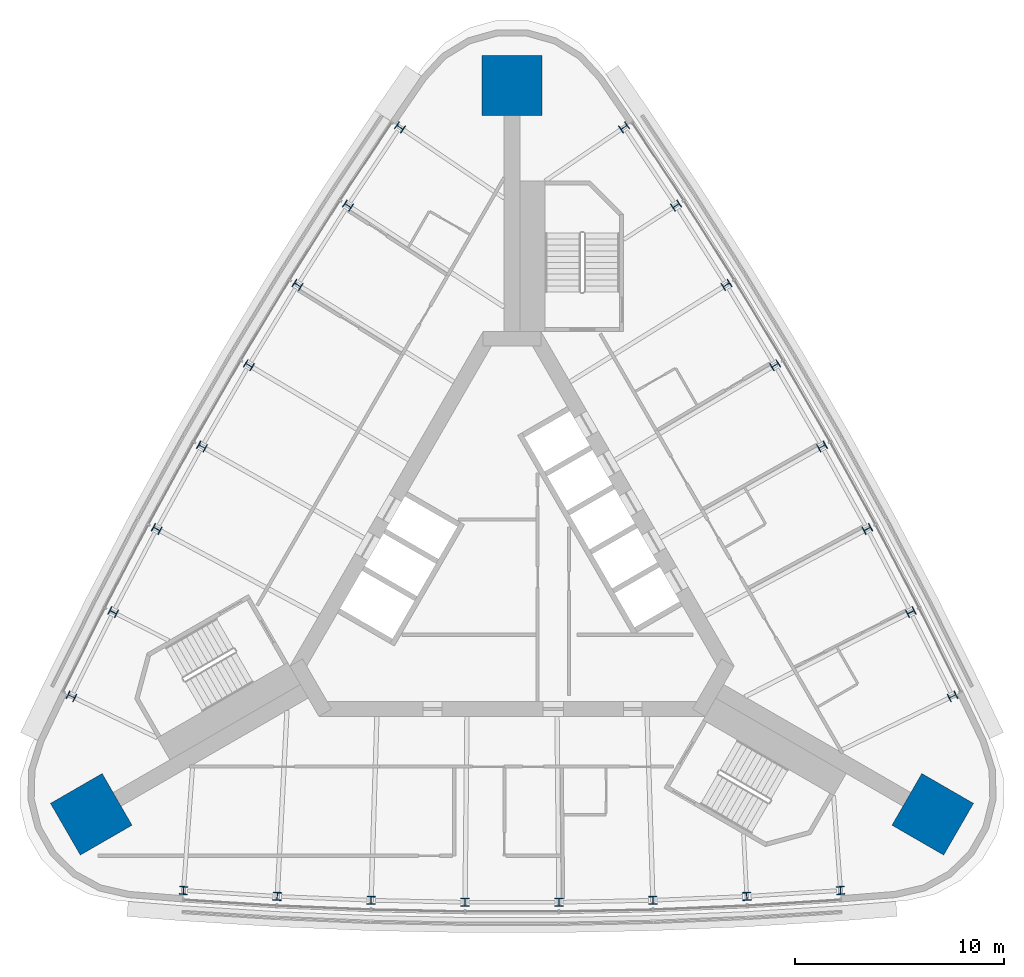
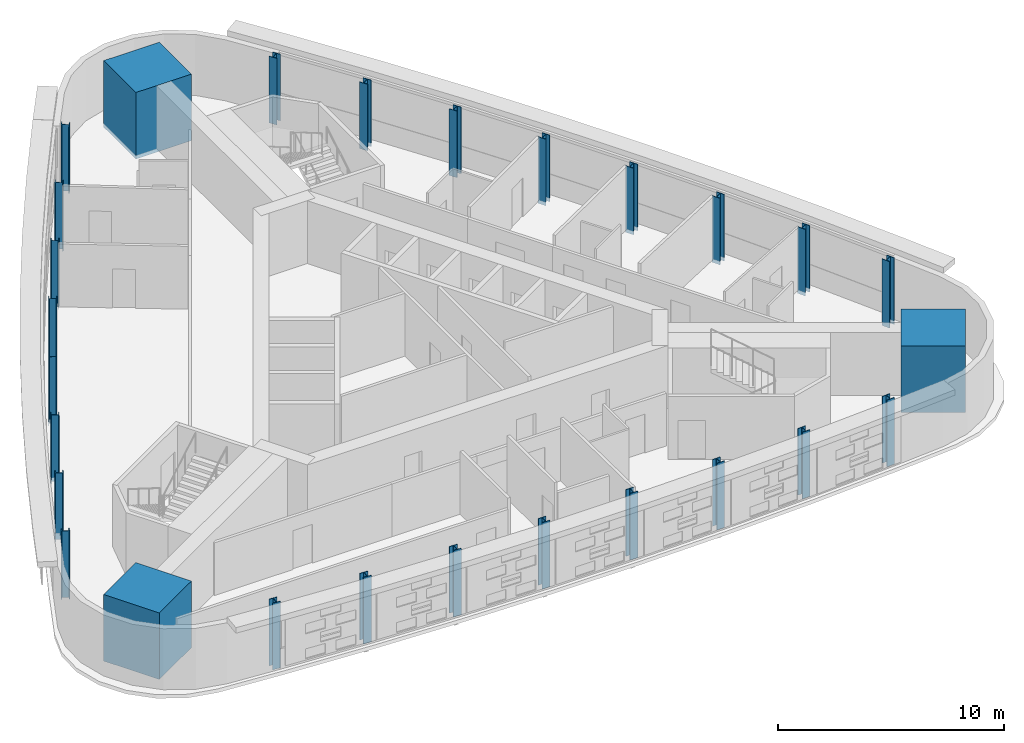
# One storey, part 1 of 12: 27 columns.
"""IFC4 building model written with IfcOpenShell, lengths in metres."""

import ifcopenshell
import ifcopenshell.guid

model = None  # the IFC model being written
_history = None  # IfcOwnerHistory: only IFC2X3 demands one
_inside = {}  # id of a spatial element -> (the spatial element, [elements in it])
_under = {}  # id of a project, library or spatial element -> (it, [spatial elements below it])
_declared = {}  # id of a project -> (the project, [libraries it declares])
_typed = {}  # id of a type object -> (the type object, [elements of that type])
_made_of = {}  # id of a material, layer set ... -> (it, [elements and type objects made of it])


def new_model(schema):
    """Start an empty IFC model of exactly this schema.

    Asked for "IFC4X3", IfcOpenShell would pick the latest addendum, in which some entities
    have other attributes; the version numbers below select the first issue.
    IFC2X3 requires an IfcOwnerHistory on every rooted entity: one is made here for all.
    """
    global model, _history
    if schema == "IFC4X3":
        model = ifcopenshell.file(schema_version=(4, 3, 0, 0))
    else:
        model = ifcopenshell.file(schema=schema)
    _inside.clear()
    _under.clear()
    _declared.clear()
    _typed.clear()
    _made_of.clear()
    _history = None
    if model.schema == "IFC2X3":
        org = make("IfcOrganization", Name="unknown")
        user = make(
            "IfcPersonAndOrganization",
            ThePerson=make("IfcPerson", FamilyName="unknown"),
            TheOrganization=org,
        )
        app = make(
            "IfcApplication",
            ApplicationDeveloper=org,
            Version="unknown",
            ApplicationFullName="unknown",
            ApplicationIdentifier="unknown",
        )
        _history = make(
            "IfcOwnerHistory",
            OwningUser=user,
            OwningApplication=app,
            ChangeAction="ADDED",
            CreationDate=0,
        )
    return model


def make(cls, **values):
    """One entity of the class cls with the attributes given. An attribute that is None is left unset."""
    return model.create_entity(
        cls, **{name: value for name, value in values.items() if value is not None}
    )


def rooted(cls, **values):
    """An entity with a GlobalId (a new one), such as an element, a storey or a relation."""
    return make(cls, GlobalId=ifcopenshell.guid.new(), OwnerHistory=_history, **values)


def si_unit(unit_type, name, prefix=None):
    """IfcSIUnit, for example si_unit("LENGTHUNIT", "METRE", prefix="MILLI")."""
    return make("IfcSIUnit", UnitType=unit_type, Prefix=prefix, Name=name)


def assignment(units):
    """IfcUnitAssignment: the units of a project."""
    return None if units is None else make("IfcUnitAssignment", Units=units)


def point(xyz):
    """IfcCartesianPoint."""
    return None if xyz is None else make("IfcCartesianPoint", Coordinates=xyz)


def direction(xyz):
    """IfcDirection."""
    return None if xyz is None else make("IfcDirection", DirectionRatios=xyz)


def frame(location, z_axis=None, x_axis=None):
    """IfcAxis2Placement3D, a coordinate frame: its origin and axes. An axis left out is left unset."""
    return make(
        "IfcAxis2Placement3D",
        Location=point(location),
        Axis=direction(z_axis),
        RefDirection=direction(x_axis),
    )


def frame_2d(location, x_axis=None):
    """IfcAxis2Placement2D, a coordinate frame in the plane: its origin and x axis."""
    return make(
        "IfcAxis2Placement2D", Location=point(location), RefDirection=direction(x_axis)
    )


def origin():
    """The frame at (0, 0, 0) with its axes left unset."""
    return frame((0.0, 0.0, 0.0))


def origin_2d():
    """The frame at (0, 0) in the plane with its x axis left unset."""
    return frame_2d((0.0, 0.0))


def place(relative_to, where):
    """IfcLocalPlacement: puts the frame where relative to a parent placement (None: the world)."""
    return make(
        "IfcLocalPlacement", PlacementRelTo=relative_to, RelativePlacement=where
    )


def context(
    kind, dimensions, precision=None, world=None, true_north=None, identifier=None
):
    """IfcGeometricRepresentationContext, for example the 3D "Model" context."""
    return make(
        "IfcGeometricRepresentationContext",
        ContextIdentifier=identifier,
        ContextType=kind,
        CoordinateSpaceDimension=dimensions,
        Precision=precision,
        WorldCoordinateSystem=world,
        TrueNorth=true_north,
    )


def subcontext(parent, identifier, kind, view, scale=None):
    """IfcGeometricRepresentationSubContext, for example "Body" below "Model"."""
    return make(
        "IfcGeometricRepresentationSubContext",
        ContextIdentifier=identifier,
        ContextType=kind,
        ParentContext=parent,
        TargetScale=scale,
        TargetView=view,
    )


def project(units=None, contexts=None):
    """IfcProject with its units and contexts."""
    return rooted(
        "IfcProject",
        Name="project",
        RepresentationContexts=contexts,
        UnitsInContext=assignment(units),
    )


def spatial(cls, under=None, at=None, **own):
    """A site, building, storey or space (cls), placed at a placement, below another one or the project."""
    s = rooted(cls, ObjectPlacement=at, **own)
    if under is not None:
        _under.setdefault(under.id(), (under, []))[1].append(s)
    return s


def profile(cls, at=None, kind="AREA", **sizes):
    """A parametric profile (cls). Its sizes go by their IFC names, for example OverallWidth=200.0."""
    return make(cls, ProfileType=kind, Position=at, **sizes)


def rectangle(**sizes):
    """IfcRectangleProfileDef."""
    return profile("IfcRectangleProfileDef", **sizes)


def i_section(**sizes):
    """IfcIShapeProfileDef."""
    return profile("IfcIShapeProfileDef", **sizes)


def extrude(swept, where, along, depth):
    """IfcExtrudedAreaSolid: the profile swept, set in the frame where, extruded along a direction by depth."""
    return make(
        "IfcExtrudedAreaSolid",
        SweptArea=swept,
        Position=where,
        ExtrudedDirection=direction(along),
        Depth=depth,
    )


def shape(context_of_items, identifier, shape_type, items):
    """IfcShapeRepresentation: the items that make up one representation, for example the "Body"."""
    return make(
        "IfcShapeRepresentation",
        ContextOfItems=context_of_items,
        RepresentationIdentifier=identifier,
        RepresentationType=shape_type,
        Items=items,
    )


def material(Name=None, Category=None):
    """IfcMaterial."""
    return make("IfcMaterial", Name=Name, Category=Category)


def material_profile(
    of_material, cross_section, Name=None, Category=None, Priority=None
):
    """IfcMaterialProfile: a cross section and its material."""
    return make(
        "IfcMaterialProfile",
        Name=Name,
        Material=of_material,
        Profile=cross_section,
        Priority=Priority,
        Category=Category,
    )


def profile_set(profiles, Name=None, composite=None):
    """IfcMaterialProfileSet."""
    return make(
        "IfcMaterialProfileSet",
        Name=Name,
        MaterialProfiles=profiles,
        CompositeProfile=composite,
    )


def made_of(thing, what):
    """Note that an element or type object is made of a material, layer set ...; save() writes the relation."""
    if what is not None:
        _made_of.setdefault(what.id(), (what, []))[1].append(thing)
    return thing


def type_object(cls, material=None, **own):
    """A type object (cls), such as IfcWallType, which elements share."""
    return made_of(rooted(cls, **own), material)


def element(
    cls,
    number,
    at=None,
    inside=None,
    cuts=None,
    type_object=None,
    material=None,
    context=None,
    identifier="Body",
    shape_type=None,
    held_by="IfcProductDefinitionShape",
    body=None,
    shapes=None,
    **own,
):
    """One element of the class cls, such as IfcWall. Its Tag is "e" and its number.

    at: its placement. inside: the storey or other place that contains it. cuts: it is an
    opening in that element (IfcRelVoidsElement). A single representation is given by context,
    identifier, shape_type and body (its items); several are given by shapes. held_by: the class
    of the entity that holds the representations. save() writes the other relations.
    """
    e = rooted(cls, Tag="e%d" % number, ObjectPlacement=at, **own)
    if body is not None:
        shapes = [shape(context, identifier, shape_type, body)]
    if shapes is not None:
        e.Representation = make(held_by, Representations=shapes)
    if inside is not None:
        _inside.setdefault(inside.id(), (inside, []))[1].append(e)
    if cuts is not None:
        rooted(
            "IfcRelVoidsElement", RelatingBuildingElement=cuts, RelatedOpeningElement=e
        )
    if type_object is not None:
        _typed.setdefault(type_object.id(), (type_object, []))[1].append(e)
    return made_of(e, material)


def aggregate(whole, parts):
    """IfcRelAggregates: a whole, such as a stair, and the parts it consists of."""
    return rooted("IfcRelAggregates", RelatingObject=whole, RelatedObjects=parts)


def save(model, path):
    """Write the relations noted so far, then the file.

    IfcRelAggregates (storeys below a building ...), IfcRelContainedInSpatialStructure (elements
    in a storey), IfcRelDefinesByType, IfcRelAssociatesMaterial and IfcRelDeclares: one each for
    every whole, place, type object, material and project.
    """
    for whole, parts in _under.values():
        aggregate(whole, parts)
    for where, things in _inside.values():
        rooted(
            "IfcRelContainedInSpatialStructure",
            RelatedElements=things,
            RelatingStructure=where,
        )
    for kind, things in _typed.values():
        rooted("IfcRelDefinesByType", RelatedObjects=things, RelatingType=kind)
    for what, things in _made_of.values():
        rooted("IfcRelAssociatesMaterial", RelatedObjects=things, RelatingMaterial=what)
    for by, libraries in _declared.values():
        rooted("IfcRelDeclares", RelatingContext=by, RelatedDefinitions=libraries)
    model.write(path)


model = new_model("IFC4")

# Units and contexts
model_context = context("Model", 3, precision=1e-05, world=origin(), true_north=direction((0.0, 1.0)))
body_context = subcontext(model_context, "Body", "Model", "MODEL_VIEW")
ifc_project = project(units=[si_unit("LENGTHUNIT", "METRE"), si_unit("AREAUNIT", "SQUARE_METRE"), si_unit("VOLUMEUNIT", "CUBIC_METRE"), si_unit("PLANEANGLEUNIT", "RADIAN"), si_unit("MASSUNIT", "GRAM", prefix="KILO")], contexts=[model_context])

# Site, building, storey
site_placement = place(None, origin())
site = spatial("IfcSite", under=ifc_project, at=site_placement, CompositionType="ELEMENT")
building_placement = place(site_placement, origin())
building = spatial("IfcBuilding", under=site, at=building_placement, Name="Noor Cloister Tower", CompositionType="ELEMENT")
storey_placement = place(building_placement, frame((0.0, 0.0, 158.10009765625)))
storey = spatial("IfcBuildingStorey", under=building, at=storey_placement, Name="L40", CompositionType="ELEMENT", Elevation=158.10009765625)

# Columns
ifc_material_1 = material(Name="Steel ASTM A992 Gr 50", Category="steel")
ifc_material_profile_1 = material_profile(ifc_material_1, i_section(OverallWidth=0.39892578125, OverallDepth=0.385986328125, WebThickness=0.02099609375, FlangeThickness=0.033203125, FilletRadius=0.01513671875, at=origin_2d()), Name="W360x262")
ifc_profile_set_1 = profile_set([ifc_material_profile_1], Name="Steel ASTM A992 Gr 50")
column_type_1 = type_object("IfcColumnType", Name="Column W360x262", PredefinedType="COLUMN", material=ifc_profile_set_1)
for number, where, z_axis, x_axis, name in (
    (1, (-5.354736328125, 21.21533203125, -0.2001953125), (0.0, 0.0, 1.0), (-0.562090371754, -0.827075821181, 0.0), "Column NW 01 L40"),
    (2, (-7.838623046875, 17.476806640625, -0.2001953125), (0.0, 0.0, 1.0), (-0.54464410067, -0.838667278249, 0.0), "Column NW 02 L40"),
    (3, (-10.24365234375, 13.68701171875, -0.2001953125), (0.0, 0.0, 1.0), (-0.526958875565, -0.849890783256, 0.0), "Column NW 03 L40"),
    (4, (-12.568603515625, 9.847900390625, -0.2001953125), (0.0, 0.0, 1.0), (-0.509042455552, -0.860741412066, 0.0), "Column NW 04 L40"),
    (5, (-14.81298828125, 5.9609375, -0.2001953125), (0.0, 0.0, 1.0), (-0.490902701163, -0.871214404146, 0.0), "Column NW 05 L40"),
    (6, (-16.97509765625, 2.027587890625, -0.2001953125), (0.0, 0.0, 1.0), (-0.472547570959, -0.881305164617, 0.0), "Column NW 06 L40"),
    (7, (-19.0546875, -1.949951171875, -0.2001953125), (0.0, 0.0, 1.0), (-0.453985117951, -0.891009266326, 0.0), "Column NW 07 L40"),
    (8, (-21.05029296875, -5.97021484375, -0.2001953125), (0.0, 0.0, 1.0), (-0.435223486122, -0.900322451752, 0.0), "Column NW 08 L40"),
    (9, (-15.695556640625, -15.244873046875, -0.2001953125), (0.0, 0.0, 1.0), (0.997313857875, -0.073246630571, 0.0), "Column S 01 L40"),
    (10, (-11.216064453125, -15.52685546875, -0.2001953125), (0.0, 0.0, 1.0), (0.998629218621, -0.052341988078, 0.0), "Column S 02 L40"),
    (11, (-6.731689453125, -15.71484375, -0.2001953125), (0.0, 0.0, 1.0), (0.999506446524, -0.031414381361, 0.0), "Column S 03 L40"),
    (12, (-2.244140625, -15.808837890625, -0.2001953125), (0.0, 0.0, 1.0), (0.999945156715, -0.01047299208, 0.0), "Column S 04 L40"),
    (13, (2.244140625, -15.808837890625, -0.2001953125), (0.0, 0.0, 1.0), (0.999945156715, 0.01047299208, 0.0), "Column S 05 L40"),
    (14, (6.731689453125, -15.71484375, -0.2001953125), (0.0, 0.0, 1.0), (0.999506446524, 0.031414381361, 0.0), "Column S 06 L40"),
    (15, (11.216064453125, -15.52685546875, -0.2001953125), (0.0, 0.0, 1.0), (0.998629218621, 0.052341988078, 0.0), "Column S 07 L40"),
    (16, (15.695556640625, -15.244873046875, -0.2001953125), (0.0, 0.0, 1.0), (0.997313857875, 0.073246630571, 0.0), "Column S 08 L40"),
    (17, (21.05029296875, -5.97021484375, -0.2001953125), (0.0, 0.0, 1.0), (-0.435223486122, 0.900322451752, 0.0), "Column NE 01 L40"),
    (18, (19.0546875, -1.949951171875, -0.2001953125), (0.0, 0.0, 1.0), (-0.453985117951, 0.891009266326, 0.0), "Column NE 02 L40"),
    (19, (16.97509765625, 2.027587890625, -0.2001953125), (0.0, 0.0, 1.0), (-0.472547570959, 0.881305164617, 0.0), "Column NE 03 L40"),
    (20, (14.81298828125, 5.9609375, -0.2001953125), (0.0, 0.0, 1.0), (-0.490902701163, 0.871214404146, 0.0), "Column NE 04 L40"),
    (21, (12.568603515625, 9.847900390625, -0.2001953125), (0.0, 0.0, 1.0), (-0.509042455552, 0.860741412066, 0.0), "Column NE 05 L40"),
    (22, (10.24365234375, 13.68701171875, -0.2001953125), (0.0, 0.0, 1.0), (-0.526958875565, 0.849890783256, 0.0), "Column NE 06 L40"),
    (23, (7.838623046875, 17.476806640625, -0.2001953125), (0.0, 0.0, 1.0), (-0.54464410067, 0.838667278249, 0.0), "Column NE 07 L40"),
    (24, (5.354736328125, 21.21533203125, -0.2001953125), (0.0, 0.0, 1.0), (-0.562090371754, 0.827075821181, 0.0), "Column NE 08 L40"),
):
    element("IfcColumn", number, at=place(storey_placement, frame(where, z_axis=z_axis, x_axis=x_axis)), inside=storey, type_object=column_type_1, Name=name, PredefinedType="COLUMN", context=body_context, shape_type="SweptSolid", body=[
        extrude(i_section(OverallWidth=0.39892578125, OverallDepth=0.385986328125, WebThickness=0.02099609375, FlangeThickness=0.033203125, FilletRadius=0.01513671875, at=origin_2d()), origin(), (0.0, 0.0, 1.0), 3.60009765625),
    ])
ifc_material_2 = material(Name="Concrete C70/85", Category="concrete")
ifc_material_profile_2 = material_profile(ifc_material_2, rectangle(XDim=2.85009765625, YDim=2.85009765625, at=origin_2d()), Name="RC 2850x2850")
ifc_profile_set_2 = profile_set([ifc_material_profile_2], Name="Concrete C70/85")
column_type_2 = type_object("IfcColumnType", Name="Corner pier 2850 x 2850 C70/85", PredefinedType="COLUMN", material=ifc_profile_set_2)
for number, where, z_axis, x_axis, name in (
    (25, (0.0, 23.2119140625, -0.2001953125), (0.0, 0.0, 1.0), (0.0, 1.0, 0.0), "Corner pier N L40"),
    (26, (-20.102294921875, -11.60595703125, -0.2001953125), (0.0, 0.0, 1.0), (-0.866025403784, -0.5, 0.0), "Corner pier SW L40"),
    (27, (20.102294921875, -11.60595703125, -0.2001953125), (0.0, 0.0, 1.0), (0.866025403784, -0.5, 0.0), "Corner pier SE L40"),
):
    element("IfcColumn", number, at=place(storey_placement, frame(where, z_axis=z_axis, x_axis=x_axis)), inside=storey, type_object=column_type_2, Name=name, PredefinedType="COLUMN", context=body_context, shape_type="SweptSolid", body=[
        extrude(rectangle(XDim=2.85009765625, YDim=2.85009765625, at=origin_2d()), origin(), (0.0, 0.0, 1.0), 3.60009765625),
    ])

save(model, "model.ifc")
